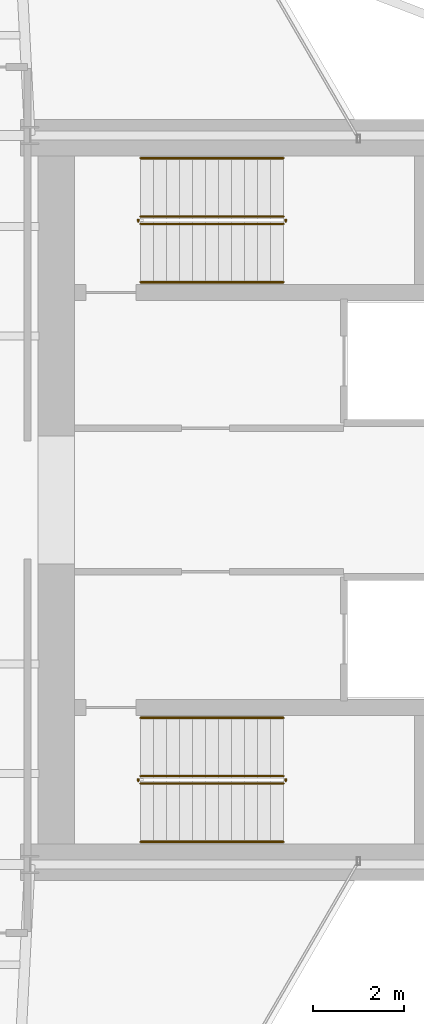
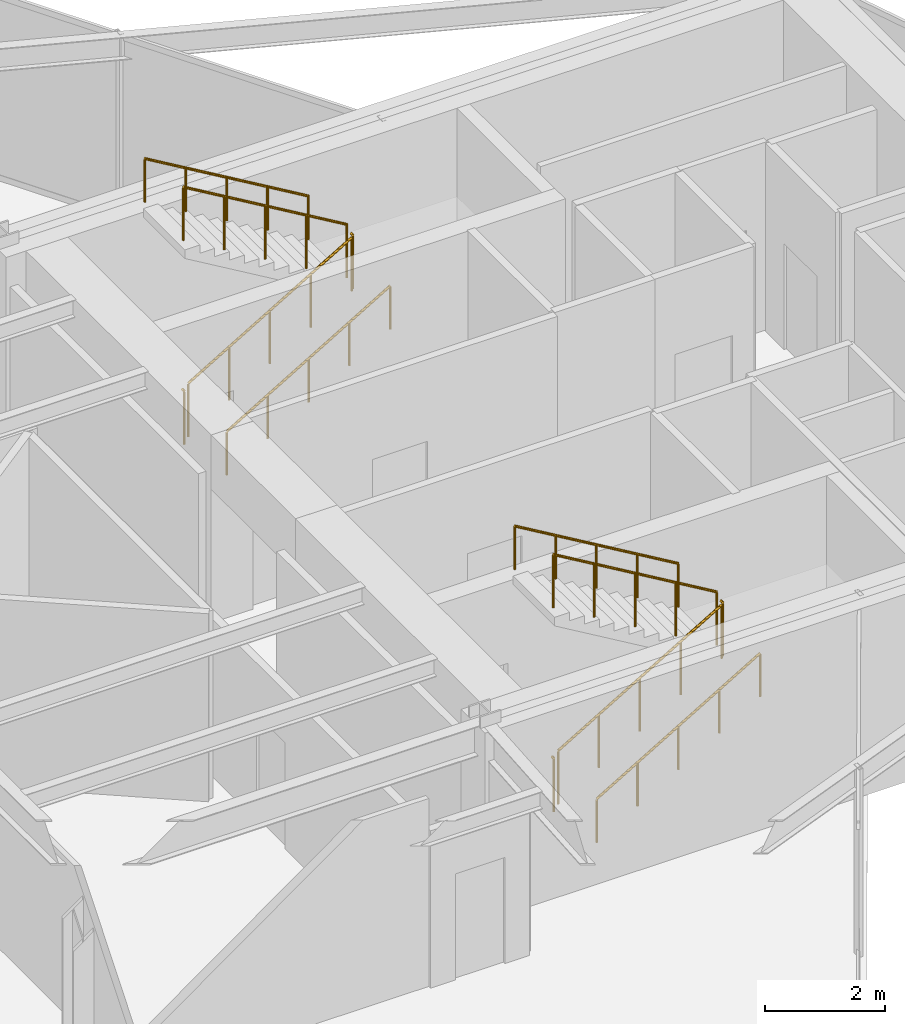
# One storey, part 25 of 25: 12 railings.
"""IFC4 building model written with IfcOpenShell, lengths in metres."""

from ifc_helpers import new_model, si_unit, direction, frame, origin, origin_2d, place, context, subcontext, project, spatial, circle, extrude, material, type_object, element, save


model = new_model("IFC4")

# Units and contexts
model_context = context("Model", 3, precision=1e-05, world=origin(), true_north=direction((0.0, 1.0)))
body_context = subcontext(model_context, "Body", "Model", "MODEL_VIEW")
ifc_project = project(units=[si_unit("LENGTHUNIT", "METRE"), si_unit("AREAUNIT", "SQUARE_METRE"), si_unit("VOLUMEUNIT", "CUBIC_METRE"), si_unit("PLANEANGLEUNIT", "RADIAN"), si_unit("MASSUNIT", "GRAM", prefix="KILO")], contexts=[model_context])

# Site, building, storey
site_placement = place(None, origin())
site = spatial("IfcSite", under=ifc_project, at=site_placement, CompositionType="ELEMENT")
building_placement = place(site_placement, origin())
building = spatial("IfcBuilding", under=site, at=building_placement, Name="Veymaron Broadcast Tower", CompositionType="ELEMENT")
storey_placement = place(building_placement, frame((0.0, 0.0, 169.5)))
storey = spatial("IfcBuildingStorey", under=building, at=storey_placement, Name="L39", CompositionType="ELEMENT", Elevation=169.5)

# Railings
ifc_material_1 = material(Name="Brushed stainless steel AISI 304", Category="steel")
railing_type_1 = type_object("IfcRailingType", Name="RAIL-STAIR-HR", PredefinedType="HANDRAIL", material=ifc_material_1)
railing_1_placement = place(storey_placement, frame((41.429931640625, 28.780029296875, 0.168701171875)))
element("IfcRailing", 1, at=railing_1_placement, inside=storey, type_object=railing_type_1, Name="L39 ST1 stair handrail 1", PredefinedType="HANDRAIL", context=body_context, shape_type="SweptSolid", body=[
    extrude(circle(Radius=0.02392578125, at=origin_2d()), frame((0.0, 0.0, 0.8759765625), z_axis=(0.860481960309, 0.0, 0.509480908359), x_axis=(0.0, 1.0, 0.0)), (0.0, 0.0, 1.0), 3.643310546875),
    extrude(circle(Radius=0.02099609375, at=origin_2d()), origin(), (0.0, 0.0, 1.0), 0.851806640625),
    extrude(circle(Radius=0.02099609375, at=origin_2d()), frame((0.78369140625, 0.0, 0.464111328125)), (0.0, 0.0, 1.0), 0.851806640625),
    extrude(circle(Radius=0.02099609375, at=origin_2d()), frame((1.5673828125, 0.0, 0.92822265625)), (0.0, 0.0, 1.0), 0.851806640625),
    extrude(circle(Radius=0.02099609375, at=origin_2d()), frame((2.351318359375, 0.0, 1.39208984375)), (0.0, 0.0, 1.0), 0.851806640625),
    extrude(circle(Radius=0.02099609375, at=origin_2d()), frame((3.135009765625, 0.0, 1.856201171875)), (0.0, 0.0, 1.0), 0.851806640625),
])
railing_2_placement = place(storey_placement, frame((44.56494140625, 31.5, 2.19384765625)))
element("IfcRailing", 2, at=railing_2_placement, inside=storey, type_object=railing_type_1, Name="L39 ST1 stair handrail 2", PredefinedType="HANDRAIL", context=body_context, shape_type="SweptSolid", body=[
    extrude(circle(Radius=0.02392578125, at=origin_2d()), frame((0.0, 0.0, 0.8759765625), z_axis=(-0.860481960309, 0.0, 0.509480908359), x_axis=(0.0, -1.0, 0.0)), (0.0, 0.0, 1.0), 3.643310546875),
    extrude(circle(Radius=0.02099609375, at=origin_2d()), origin(), (0.0, 0.0, 1.0), 0.851806640625),
    extrude(circle(Radius=0.02099609375, at=origin_2d()), frame((-0.78369140625, 0.0, 0.464111328125)), (0.0, 0.0, 1.0), 0.851806640625),
    extrude(circle(Radius=0.02099609375, at=origin_2d()), frame((-1.5673828125, 0.0, 0.92822265625)), (0.0, 0.0, 1.0), 0.851806640625),
    extrude(circle(Radius=0.02099609375, at=origin_2d()), frame((-2.351318359375, 0.0, 1.39208984375)), (0.0, 0.0, 1.0), 0.851806640625),
    extrude(circle(Radius=0.02099609375, at=origin_2d()), frame((-3.135009765625, 0.0, 1.856201171875)), (0.0, 0.0, 1.0), 0.851806640625),
])
railing_3_placement = place(storey_placement, frame((41.429931640625, 16.5, 0.168701171875)))
element("IfcRailing", 3, at=railing_3_placement, inside=storey, type_object=railing_type_1, Name="L39 ST2 stair handrail 1", PredefinedType="HANDRAIL", context=body_context, shape_type="SweptSolid", body=[
    extrude(circle(Radius=0.02392578125, at=origin_2d()), frame((0.0, 0.0, 0.8759765625), z_axis=(0.860481960309, 0.0, 0.509480908359), x_axis=(0.0, 1.0, 0.0)), (0.0, 0.0, 1.0), 3.643310546875),
    extrude(circle(Radius=0.02099609375, at=origin_2d()), origin(), (0.0, 0.0, 1.0), 0.851806640625),
    extrude(circle(Radius=0.02099609375, at=origin_2d()), frame((0.78369140625, 0.0, 0.464111328125)), (0.0, 0.0, 1.0), 0.851806640625),
    extrude(circle(Radius=0.02099609375, at=origin_2d()), frame((1.5673828125, 0.0, 0.92822265625)), (0.0, 0.0, 1.0), 0.851806640625),
    extrude(circle(Radius=0.02099609375, at=origin_2d()), frame((2.351318359375, 0.0, 1.39208984375)), (0.0, 0.0, 1.0), 0.851806640625),
    extrude(circle(Radius=0.02099609375, at=origin_2d()), frame((3.135009765625, 0.0, 1.856201171875)), (0.0, 0.0, 1.0), 0.851806640625),
])
railing_4_placement = place(storey_placement, frame((44.56494140625, 19.219970703125, 2.19384765625)))
element("IfcRailing", 4, at=railing_4_placement, inside=storey, type_object=railing_type_1, Name="L39 ST2 stair handrail 2", PredefinedType="HANDRAIL", context=body_context, shape_type="SweptSolid", body=[
    extrude(circle(Radius=0.02392578125, at=origin_2d()), frame((0.0, 0.0, 0.8759765625), z_axis=(-0.860481960309, 0.0, 0.509480908359), x_axis=(0.0, -1.0, 0.0)), (0.0, 0.0, 1.0), 3.643310546875),
    extrude(circle(Radius=0.02099609375, at=origin_2d()), origin(), (0.0, 0.0, 1.0), 0.851806640625),
    extrude(circle(Radius=0.02099609375, at=origin_2d()), frame((-0.78369140625, 0.0, 0.464111328125)), (0.0, 0.0, 1.0), 0.851806640625),
    extrude(circle(Radius=0.02099609375, at=origin_2d()), frame((-1.5673828125, 0.0, 0.92822265625)), (0.0, 0.0, 1.0), 0.851806640625),
    extrude(circle(Radius=0.02099609375, at=origin_2d()), frame((-2.351318359375, 0.0, 1.39208984375)), (0.0, 0.0, 1.0), 0.851806640625),
    extrude(circle(Radius=0.02099609375, at=origin_2d()), frame((-3.135009765625, 0.0, 1.856201171875)), (0.0, 0.0, 1.0), 0.851806640625),
])
ifc_material_2 = material(Name="Painted galvanized steel balustrade", Category="steel")
railing_type_2 = type_object("IfcRailingType", Name="RAIL-WELL-GRD", PredefinedType="GUARDRAIL", material=ifc_material_2)
railing_5_placement = place(storey_placement, frame((41.429931640625, 30.06005859375, 0.168701171875)))
element("IfcRailing", 5, at=railing_5_placement, inside=storey, type_object=railing_type_2, Name="L39 ST1 stair guard 1", PredefinedType="GUARDRAIL", context=body_context, shape_type="SweptSolid", body=[
    extrude(circle(Radius=0.02392578125, at=origin_2d()), frame((0.0, 0.0, 1.076171875), z_axis=(0.860481960309, 0.0, 0.509480908359), x_axis=(0.0, 1.0, 0.0)), (0.0, 0.0, 1.0), 3.643310546875),
    extrude(circle(Radius=0.02099609375, at=origin_2d()), origin(), (0.0, 0.0, 1.0), 1.052001953125),
    extrude(circle(Radius=0.02099609375, at=origin_2d()), frame((0.78369140625, 0.0, 0.464111328125)), (0.0, 0.0, 1.0), 1.052001953125),
    extrude(circle(Radius=0.02099609375, at=origin_2d()), frame((1.5673828125, 0.0, 0.92822265625)), (0.0, 0.0, 1.0), 1.052001953125),
    extrude(circle(Radius=0.02099609375, at=origin_2d()), frame((2.351318359375, 0.0, 1.39208984375)), (0.0, 0.0, 1.0), 1.052001953125),
    extrude(circle(Radius=0.02099609375, at=origin_2d()), frame((3.135009765625, 0.0, 1.856201171875)), (0.0, 0.0, 1.0), 1.052001953125),
])
railing_6_placement = place(storey_placement, frame((44.614990234375, 30.110107421875, 2.02490234375)))
element("IfcRailing", 6, at=railing_6_placement, inside=storey, type_object=railing_type_2, Name="L39 ST1 stair guard 2", PredefinedType="GUARDRAIL", context=body_context, shape_type="SweptSolid", body=[
    extrude(circle(Radius=0.02392578125, at=origin_2d()), frame((0.0, 0.0, 1.076171875), z_axis=(0.0, 1.0, 0.0), x_axis=(-1.0, 0.0, 0.0)), (0.0, 0.0, 1.0), 0.059814453125),
    extrude(circle(Radius=0.02099609375, at=origin_2d()), origin(), (0.0, 0.0, 1.0), 1.052001953125),
])
railing_7_placement = place(storey_placement, frame((44.56494140625, 30.219970703125, 2.19384765625)))
element("IfcRailing", 7, at=railing_7_placement, inside=storey, type_object=railing_type_2, Name="L39 ST1 stair guard 3", PredefinedType="GUARDRAIL", context=body_context, shape_type="SweptSolid", body=[
    extrude(circle(Radius=0.02392578125, at=origin_2d()), frame((0.0, 0.0, 1.076171875), z_axis=(-0.860481960309, 0.0, 0.509480908359), x_axis=(0.0, -1.0, 0.0)), (0.0, 0.0, 1.0), 3.643310546875),
    extrude(circle(Radius=0.02099609375, at=origin_2d()), origin(), (0.0, 0.0, 1.0), 1.052001953125),
    extrude(circle(Radius=0.02099609375, at=origin_2d()), frame((-0.78369140625, 0.0, 0.464111328125)), (0.0, 0.0, 1.0), 1.052001953125),
    extrude(circle(Radius=0.02099609375, at=origin_2d()), frame((-1.5673828125, 0.0, 0.92822265625)), (0.0, 0.0, 1.0), 1.052001953125),
    extrude(circle(Radius=0.02099609375, at=origin_2d()), frame((-2.351318359375, 0.0, 1.39208984375)), (0.0, 0.0, 1.0), 1.052001953125),
    extrude(circle(Radius=0.02099609375, at=origin_2d()), frame((-3.135009765625, 0.0, 1.856201171875)), (0.0, 0.0, 1.0), 1.052001953125),
])
railing_8_placement = place(storey_placement, frame((41.3798828125, 30.110107421875, 0.0)))
element("IfcRailing", 8, at=railing_8_placement, inside=storey, type_object=railing_type_2, Name="L39 ST1 stair guard 4", PredefinedType="GUARDRAIL", context=body_context, shape_type="SweptSolid", body=[
    extrude(circle(Radius=0.02392578125, at=origin_2d()), frame((0.0, 0.0, 1.076171875), z_axis=(0.0, 1.0, 0.0), x_axis=(-1.0, 0.0, 0.0)), (0.0, 0.0, 1.0), 0.059814453125),
    extrude(circle(Radius=0.02099609375, at=origin_2d()), origin(), (0.0, 0.0, 1.0), 1.052001953125),
])
railing_9_placement = place(storey_placement, frame((41.429931640625, 17.780029296875, 0.168701171875)))
element("IfcRailing", 9, at=railing_9_placement, inside=storey, type_object=railing_type_2, Name="L39 ST2 stair guard 1", PredefinedType="GUARDRAIL", context=body_context, shape_type="SweptSolid", body=[
    extrude(circle(Radius=0.02392578125, at=origin_2d()), frame((0.0, 0.0, 1.076171875), z_axis=(0.860481960309, 0.0, 0.509480908359), x_axis=(0.0, 1.0, 0.0)), (0.0, 0.0, 1.0), 3.643310546875),
    extrude(circle(Radius=0.02099609375, at=origin_2d()), origin(), (0.0, 0.0, 1.0), 1.052001953125),
    extrude(circle(Radius=0.02099609375, at=origin_2d()), frame((0.78369140625, 0.0, 0.464111328125)), (0.0, 0.0, 1.0), 1.052001953125),
    extrude(circle(Radius=0.02099609375, at=origin_2d()), frame((1.5673828125, 0.0, 0.92822265625)), (0.0, 0.0, 1.0), 1.052001953125),
    extrude(circle(Radius=0.02099609375, at=origin_2d()), frame((2.351318359375, 0.0, 1.39208984375)), (0.0, 0.0, 1.0), 1.052001953125),
    extrude(circle(Radius=0.02099609375, at=origin_2d()), frame((3.135009765625, 0.0, 1.856201171875)), (0.0, 0.0, 1.0), 1.052001953125),
])
railing_10_placement = place(storey_placement, frame((44.614990234375, 17.830078125, 2.02490234375)))
element("IfcRailing", 10, at=railing_10_placement, inside=storey, type_object=railing_type_2, Name="L39 ST2 stair guard 2", PredefinedType="GUARDRAIL", context=body_context, shape_type="SweptSolid", body=[
    extrude(circle(Radius=0.02392578125, at=origin_2d()), frame((0.0, 0.0, 1.076171875), z_axis=(0.0, 1.0, 0.0), x_axis=(-1.0, 0.0, 0.0)), (0.0, 0.0, 1.0), 0.059814453125),
    extrude(circle(Radius=0.02099609375, at=origin_2d()), origin(), (0.0, 0.0, 1.0), 1.052001953125),
])
railing_11_placement = place(storey_placement, frame((44.56494140625, 17.93994140625, 2.19384765625)))
element("IfcRailing", 11, at=railing_11_placement, inside=storey, type_object=railing_type_2, Name="L39 ST2 stair guard 3", PredefinedType="GUARDRAIL", context=body_context, shape_type="SweptSolid", body=[
    extrude(circle(Radius=0.02392578125, at=origin_2d()), frame((0.0, 0.0, 1.076171875), z_axis=(-0.860481960309, 0.0, 0.509480908359), x_axis=(0.0, -1.0, 0.0)), (0.0, 0.0, 1.0), 3.643310546875),
    extrude(circle(Radius=0.02099609375, at=origin_2d()), origin(), (0.0, 0.0, 1.0), 1.052001953125),
    extrude(circle(Radius=0.02099609375, at=origin_2d()), frame((-0.78369140625, 0.0, 0.464111328125)), (0.0, 0.0, 1.0), 1.052001953125),
    extrude(circle(Radius=0.02099609375, at=origin_2d()), frame((-1.5673828125, 0.0, 0.92822265625)), (0.0, 0.0, 1.0), 1.052001953125),
    extrude(circle(Radius=0.02099609375, at=origin_2d()), frame((-2.351318359375, 0.0, 1.39208984375)), (0.0, 0.0, 1.0), 1.052001953125),
    extrude(circle(Radius=0.02099609375, at=origin_2d()), frame((-3.135009765625, 0.0, 1.856201171875)), (0.0, 0.0, 1.0), 1.052001953125),
])
railing_12_placement = place(storey_placement, frame((41.3798828125, 17.830078125, 0.0)))
element("IfcRailing", 12, at=railing_12_placement, inside=storey, type_object=railing_type_2, Name="L39 ST2 stair guard 4", PredefinedType="GUARDRAIL", context=body_context, shape_type="SweptSolid", body=[
    extrude(circle(Radius=0.02392578125, at=origin_2d()), frame((0.0, 0.0, 1.076171875), z_axis=(0.0, 1.0, 0.0), x_axis=(-1.0, 0.0, 0.0)), (0.0, 0.0, 1.0), 0.059814453125),
    extrude(circle(Radius=0.02099609375, at=origin_2d()), origin(), (0.0, 0.0, 1.0), 1.052001953125),
])

save(model, "model.ifc")
